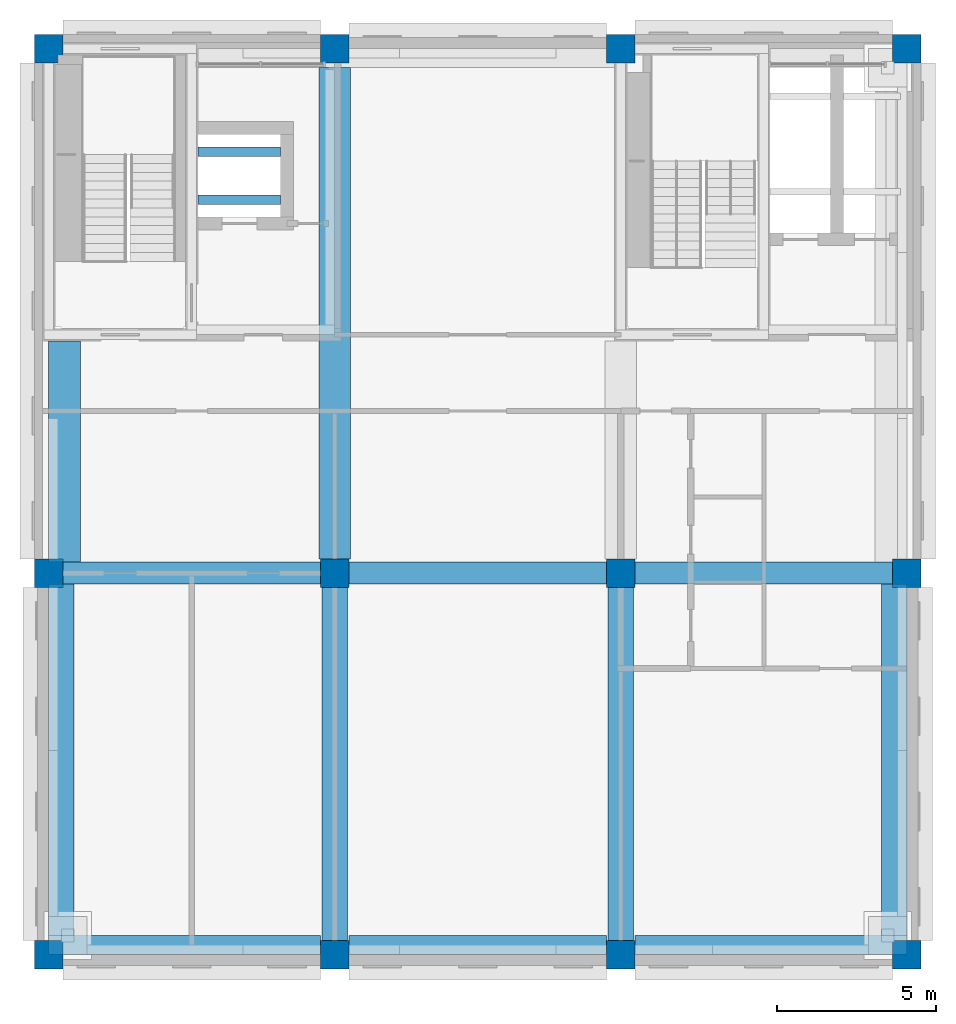
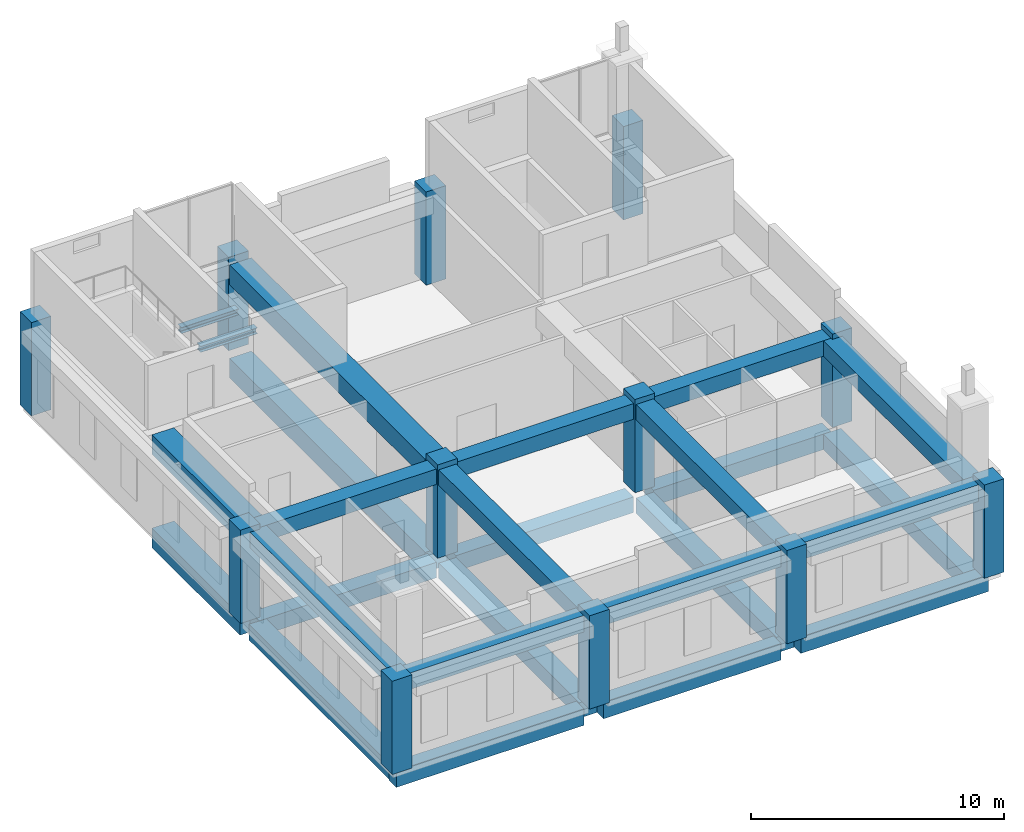
# One storey, part 1 of 6: 26 beams, 12 columns.
"""IFC4 building model written with IfcOpenShell, lengths in metres."""

from ifc_helpers import new_model, si_unit, direction, frame, origin, origin_2d, place, context, subcontext, project, spatial, rectangle, i_section, extrude, material, material_profile, profile_set, type_object, element, save


model = new_model("IFC4")

# Units and contexts
model_context = context("Model", 3, precision=1e-05, world=origin(), true_north=direction((0.0, 1.0)))
body_context = subcontext(model_context, "Body", "Model", "MODEL_VIEW")
ifc_project = project(units=[si_unit("LENGTHUNIT", "METRE"), si_unit("AREAUNIT", "SQUARE_METRE"), si_unit("VOLUMEUNIT", "CUBIC_METRE"), si_unit("PLANEANGLEUNIT", "RADIAN"), si_unit("MASSUNIT", "GRAM", prefix="KILO")], contexts=[model_context])

# Site, building, storey
site_placement = place(None, origin())
site = spatial("IfcSite", under=ifc_project, at=site_placement, CompositionType="ELEMENT")
building_placement = place(site_placement, origin())
building = spatial("IfcBuilding", under=site, at=building_placement, Name="Aurelan Courthouse", CompositionType="ELEMENT")
storey_placement = place(building_placement, frame((0.0, 0.0, 57.89990234375)))
storey = spatial("IfcBuildingStorey", under=building, at=storey_placement, Name="L11", CompositionType="ELEMENT", Elevation=57.89990234375)

# Columns
ifc_material_1 = material(Name="Concrete C50", Category="concrete")
ifc_material_profile_1 = material_profile(ifc_material_1, rectangle(XDim=0.89990234375, YDim=0.89990234375, at=origin_2d()), Name="RC 900 x 900")
ifc_profile_set_1 = profile_set([ifc_material_profile_1], Name="Concrete C50")
column_type = type_object("IfcColumnType", Name="RC column 900 x 900 C50", PredefinedType="COLUMN", material=ifc_profile_set_1)
for number, where, z_axis, x_axis, name in (
    (1, (0.0, 0.0, 0.0), (0.0, 0.0, 1.0), (1.0, 0.0, 0.0), "Column C-A1-D"),
    (2, (9.0, 0.0, 0.0), (0.0, 0.0, 1.0), (1.0, 0.0, 0.0), "Column C-A2-D"),
    (3, (18.0, 0.0, 0.0), (0.0, 0.0, 1.0), (1.0, 0.0, 0.0), "Column C-A3-D"),
    (4, (27.0, 0.0, 0.0), (0.0, 0.0, 1.0), (1.0, 0.0, 0.0), "Column C-A4-D"),
    (5, (0.0, 12.0, 0.0), (0.0, 0.0, 1.0), (1.0, 0.0, 0.0), "Column C-B1-D"),
    (6, (9.0, 12.0, 0.0), (0.0, 0.0, 1.0), (1.0, 0.0, 0.0), "Column C-B2-D"),
    (7, (18.0, 12.0, 0.0), (0.0, 0.0, 1.0), (1.0, 0.0, 0.0), "Column C-B3-D"),
    (8, (27.0, 12.0, 0.0), (0.0, 0.0, 1.0), (1.0, 0.0, 0.0), "Column C-B4-D"),
    (9, (0.0, 28.5, 0.0), (0.0, 0.0, 1.0), (1.0, 0.0, 0.0), "Column C-C1-D"),
    (10, (9.0, 28.5, 0.0), (0.0, 0.0, 1.0), (1.0, 0.0, 0.0), "Column C-C2-D"),
    (11, (18.0, 28.5, 0.0), (0.0, 0.0, 1.0), (1.0, 0.0, 0.0), "Column C-C3-D"),
    (12, (27.0, 28.5, 0.0), (0.0, 0.0, 1.0), (1.0, 0.0, 0.0), "Column C-C4-D"),
):
    element("IfcColumn", number, at=place(storey_placement, frame(where, z_axis=z_axis, x_axis=x_axis)), inside=storey, type_object=column_type, Name=name, PredefinedType="COLUMN", context=body_context, shape_type="SweptSolid", body=[
        extrude(rectangle(XDim=0.89990234375, YDim=0.89990234375, at=origin_2d()), origin(), (0.0, 0.0, 1.0), 4.5),
    ])

# Beams
ifc_material_2 = material(Name="Steel S355", Category="steel")
ifc_material_profile_2 = material_profile(ifc_material_2, i_section(OverallWidth=0.300048828125, OverallDepth=0.2900390625, WebThickness=0.008544921875, FlangeThickness=0.013916015625, FilletRadius=0.027099609375, at=origin_2d()), Name="HEA 300")
ifc_profile_set_2 = profile_set([ifc_material_profile_2], Name="Steel S355")
beam_type_1 = type_object("IfcBeamType", Name="Hoist beam HEA 300", PredefinedType="BEAM", material=ifc_profile_set_2)
for number, where, z_axis, x_axis, name in (
    (13, (4.699951171875, 23.75, 4.10498046875), (1.0, 0.0, 0.0), (0.0, 1.0, 0.0), "Hoist beam HB-V5-F1-1"),
    (14, (4.699951171875, 25.25, 4.10498046875), (1.0, 0.0, 0.0), (0.0, 1.0, 0.0), "Hoist beam HB-V5-F1-2"),
):
    element("IfcBeam", number, at=place(storey_placement, frame(where, z_axis=z_axis, x_axis=x_axis)), inside=storey, type_object=beam_type_1, Name=name, PredefinedType="BEAM", context=body_context, shape_type="SweptSolid", body=[
        extrude(i_section(OverallWidth=0.300048828125, OverallDepth=0.2900390625, WebThickness=0.008544921875, FlangeThickness=0.013916015625, FilletRadius=0.027099609375, at=origin_2d()), origin(), (0.0, 0.0, 1.0), 2.60009765625),
    ])
ifc_material_profile_3 = material_profile(ifc_material_1, rectangle(XDim=0.699951171875, YDim=0.75, at=origin_2d()), Name="RC 700 x 750")
ifc_profile_set_3 = profile_set([ifc_material_profile_3], Name="Concrete C50")
beam_type_2 = type_object("IfcBeamType", Name="PT beam 700 x 750", PredefinedType="BEAM", material=ifc_profile_set_3)
for number, where, z_axis, x_axis, name in (
    (15, (0.449951171875, 12.0, -0.625), (1.0, 0.0, 0.0), (0.0, 1.0, 0.0), "Beam EB-B-1-2"),
    (16, (9.449951171875, 12.0, -0.625), (1.0, 0.0, 0.0), (0.0, 1.0, 0.0), "Beam EB-B-2-3"),
    (17, (18.449951171875, 12.0, -0.625), (1.0, 0.0, 0.0), (0.0, 1.0, 0.0), "Beam EB-B-3-4"),
    (18, (0.449951171875, 12.0, 3.875), (1.0, 0.0, 0.0), (0.0, 1.0, 0.0), "Beam EB-B-1-2R"),
    (19, (9.449951171875, 12.0, 3.875), (1.0, 0.0, 0.0), (0.0, 1.0, 0.0), "Beam EB-B-2-3R"),
    (20, (18.449951171875, 12.0, 3.875), (1.0, 0.0, 0.0), (0.0, 1.0, 0.0), "Beam EB-B-3-4R"),
):
    element("IfcBeam", number, at=place(storey_placement, frame(where, z_axis=z_axis, x_axis=x_axis)), inside=storey, type_object=beam_type_2, Name=name, PredefinedType="BEAM", context=body_context, shape_type="SweptSolid", body=[
        extrude(rectangle(XDim=0.699951171875, YDim=0.75, at=origin_2d()), origin(), (0.0, 0.0, 1.0), 8.10009765625),
    ])
ifc_material_profile_4 = material_profile(ifc_material_1, rectangle(XDim=1.0, YDim=0.949951171875, at=origin_2d()), Name="RC 1000 x 950")
ifc_profile_set_4 = profile_set([ifc_material_profile_4], Name="Concrete C50")
beam_type_3 = type_object("IfcBeamType", Name="PT girder 1000 x 950", PredefinedType="BEAM", material=ifc_profile_set_4)
beam_1_placement = place(storey_placement, frame((0.5, 12.35009765625, -0.724853515625), z_axis=(0.0, 1.0, 0.0), x_axis=(-1.0, 0.0, 0.0)))
element("IfcBeam", 21, at=beam_1_placement, inside=storey, type_object=beam_type_3, Name="Girder GB-1BC-E", PredefinedType="BEAM", context=body_context, shape_type="SweptSolid", body=[
    extrude(rectangle(XDim=1.0, YDim=0.949951171875, at=origin_2d()), origin(), (0.0, 0.0, 1.0), 6.949951171875),
])
beam_2_placement = place(storey_placement, frame((9.0, 12.449951171875, -0.724853515625), z_axis=(0.0, 1.0, 0.0), x_axis=(-1.0, 0.0, 0.0)))
element("IfcBeam", 22, at=beam_2_placement, inside=storey, type_object=beam_type_3, Name="Girder GB-2BC", PredefinedType="BEAM", context=body_context, shape_type="SweptSolid", body=[
    extrude(rectangle(XDim=1.0, YDim=0.949951171875, at=origin_2d()), origin(), (0.0, 0.0, 1.0), 15.449951171875),
])
beam_3_placement = place(storey_placement, frame((0.5, 12.35009765625, 3.775146484375), z_axis=(0.0, 1.0, 0.0), x_axis=(-1.0, 0.0, 0.0)))
element("IfcBeam", 23, at=beam_3_placement, inside=storey, type_object=beam_type_3, Name="Girder GB-1BCER", PredefinedType="BEAM", context=body_context, shape_type="SweptSolid", body=[
    extrude(rectangle(XDim=1.0, YDim=0.949951171875, at=origin_2d()), origin(), (0.0, 0.0, 1.0), 6.949951171875),
])
beam_4_placement = place(storey_placement, frame((9.0, 12.449951171875, 3.775146484375), z_axis=(0.0, 1.0, 0.0), x_axis=(-1.0, 0.0, 0.0)))
element("IfcBeam", 24, at=beam_4_placement, inside=storey, type_object=beam_type_3, Name="Girder GB-2BCR", PredefinedType="BEAM", context=body_context, shape_type="SweptSolid", body=[
    extrude(rectangle(XDim=1.0, YDim=0.949951171875, at=origin_2d()), origin(), (0.0, 0.0, 1.0), 15.449951171875),
])
ifc_material_profile_5 = material_profile(ifc_material_1, rectangle(XDim=0.800048828125, YDim=0.75, at=origin_2d()), Name="RC 800 x 750")
ifc_profile_set_5 = profile_set([ifc_material_profile_5], Name="Concrete C50")
beam_type_4 = type_object("IfcBeamType", Name="PT girder 800 x 750", PredefinedType="BEAM", material=ifc_profile_set_5)
beam_5_placement = place(storey_placement, frame((0.39990234375, 0.60009765625, -0.625), z_axis=(0.0, 1.0, 0.0), x_axis=(-1.0, 0.0, 0.0)))
element("IfcBeam", 25, at=beam_5_placement, inside=storey, type_object=beam_type_4, Name="Girder GB-1AB-E", PredefinedType="BEAM", context=body_context, shape_type="SweptSolid", body=[
    extrude(rectangle(XDim=0.800048828125, YDim=0.75, at=origin_2d()), origin(), (0.0, 0.0, 1.0), 11.0498046875),
])
for number, where, z_axis, x_axis, name in (
    (26, (9.0, 0.449951171875, -0.625), (0.0, 1.0, 0.0), (-1.0, 0.0, 0.0), "Girder GB-2AB"),
    (27, (18.0, 0.449951171875, -0.625), (0.0, 1.0, 0.0), (-1.0, 0.0, 0.0), "Girder GB-3AB"),
):
    element("IfcBeam", number, at=place(storey_placement, frame(where, z_axis=z_axis, x_axis=x_axis)), inside=storey, type_object=beam_type_4, Name=name, PredefinedType="BEAM", context=body_context, shape_type="SweptSolid", body=[
        extrude(rectangle(XDim=0.800048828125, YDim=0.75, at=origin_2d()), origin(), (0.0, 0.0, 1.0), 11.10009765625),
    ])
for number, where, z_axis, x_axis, name in (
    (28, (26.60009765625, 0.60009765625, -0.625), (0.0, 1.0, 0.0), (-1.0, 0.0, 0.0), "Girder GB-4AB-E"),
    (29, (0.39990234375, 0.60009765625, 3.875), (0.0, 1.0, 0.0), (-1.0, 0.0, 0.0), "Girder GB-1ABER"),
):
    element("IfcBeam", number, at=place(storey_placement, frame(where, z_axis=z_axis, x_axis=x_axis)), inside=storey, type_object=beam_type_4, Name=name, PredefinedType="BEAM", context=body_context, shape_type="SweptSolid", body=[
        extrude(rectangle(XDim=0.800048828125, YDim=0.75, at=origin_2d()), origin(), (0.0, 0.0, 1.0), 11.0498046875),
    ])
for number, where, z_axis, x_axis, name in (
    (30, (9.0, 0.449951171875, 3.875), (0.0, 1.0, 0.0), (-1.0, 0.0, 0.0), "Girder GB-2ABR"),
    (31, (18.0, 0.449951171875, 3.875), (0.0, 1.0, 0.0), (-1.0, 0.0, 0.0), "Girder GB-3ABR"),
):
    element("IfcBeam", number, at=place(storey_placement, frame(where, z_axis=z_axis, x_axis=x_axis)), inside=storey, type_object=beam_type_4, Name=name, PredefinedType="BEAM", context=body_context, shape_type="SweptSolid", body=[
        extrude(rectangle(XDim=0.800048828125, YDim=0.75, at=origin_2d()), origin(), (0.0, 0.0, 1.0), 11.10009765625),
    ])
beam_6_placement = place(storey_placement, frame((26.60009765625, 0.60009765625, 3.875), z_axis=(0.0, 1.0, 0.0), x_axis=(-1.0, 0.0, 0.0)))
element("IfcBeam", 32, at=beam_6_placement, inside=storey, type_object=beam_type_4, Name="Girder GB-4ABER", PredefinedType="BEAM", context=body_context, shape_type="SweptSolid", body=[
    extrude(rectangle(XDim=0.800048828125, YDim=0.75, at=origin_2d()), origin(), (0.0, 0.0, 1.0), 11.0498046875),
])
ifc_material_profile_6 = material_profile(ifc_material_1, rectangle(XDim=0.60009765625, YDim=0.800048828125, at=origin_2d()), Name="RC 600 x 800")
ifc_profile_set_6 = profile_set([ifc_material_profile_6], Name="Concrete C50")
beam_type_5 = type_object("IfcBeamType", Name="RC spandrel beam 600 x 800", PredefinedType="SPANDREL", material=ifc_profile_set_6)
beam_7_placement = place(storey_placement, frame((0.0, 0.300048828125, -0.64990234375), z_axis=(1.0, 0.0, 0.0), x_axis=(0.0, 1.0, 0.0)))
element("IfcBeam", 33, at=beam_7_placement, inside=storey, type_object=beam_type_5, Name="Spandrel beam SB-A-1-2", PredefinedType="SPANDREL", context=body_context, shape_type="SweptSolid", body=[
    extrude(rectangle(XDim=0.60009765625, YDim=0.800048828125, at=origin_2d()), origin(), (0.0, 0.0, 1.0), 8.550048828125),
])
beam_8_placement = place(storey_placement, frame((9.449951171875, 0.300048828125, -0.64990234375), z_axis=(1.0, 0.0, 0.0), x_axis=(0.0, 1.0, 0.0)))
element("IfcBeam", 34, at=beam_8_placement, inside=storey, type_object=beam_type_5, Name="Spandrel beam SB-A-2-3", PredefinedType="SPANDREL", context=body_context, shape_type="SweptSolid", body=[
    extrude(rectangle(XDim=0.60009765625, YDim=0.800048828125, at=origin_2d()), origin(), (0.0, 0.0, 1.0), 8.10009765625),
])
for number, where, z_axis, x_axis, name in (
    (35, (18.449951171875, 0.300048828125, -0.64990234375), (1.0, 0.0, 0.0), (0.0, 1.0, 0.0), "Spandrel beam SB-A-3-4"),
    (36, (0.0, 0.300048828125, 3.85009765625), (1.0, 0.0, 0.0), (0.0, 1.0, 0.0), "Spandrel beam SB-A-1-2R"),
):
    element("IfcBeam", number, at=place(storey_placement, frame(where, z_axis=z_axis, x_axis=x_axis)), inside=storey, type_object=beam_type_5, Name=name, PredefinedType="SPANDREL", context=body_context, shape_type="SweptSolid", body=[
        extrude(rectangle(XDim=0.60009765625, YDim=0.800048828125, at=origin_2d()), origin(), (0.0, 0.0, 1.0), 8.550048828125),
    ])
beam_9_placement = place(storey_placement, frame((9.449951171875, 0.300048828125, 3.85009765625), z_axis=(1.0, 0.0, 0.0), x_axis=(0.0, 1.0, 0.0)))
element("IfcBeam", 37, at=beam_9_placement, inside=storey, type_object=beam_type_5, Name="Spandrel beam SB-A-2-3R", PredefinedType="SPANDREL", context=body_context, shape_type="SweptSolid", body=[
    extrude(rectangle(XDim=0.60009765625, YDim=0.800048828125, at=origin_2d()), origin(), (0.0, 0.0, 1.0), 8.10009765625),
])
beam_10_placement = place(storey_placement, frame((18.449951171875, 0.300048828125, 3.85009765625), z_axis=(1.0, 0.0, 0.0), x_axis=(0.0, 1.0, 0.0)))
element("IfcBeam", 38, at=beam_10_placement, inside=storey, type_object=beam_type_5, Name="Spandrel beam SB-A-3-4R", PredefinedType="SPANDREL", context=body_context, shape_type="SweptSolid", body=[
    extrude(rectangle(XDim=0.60009765625, YDim=0.800048828125, at=origin_2d()), origin(), (0.0, 0.0, 1.0), 8.550048828125),
])

save(model, "model.ifc")
